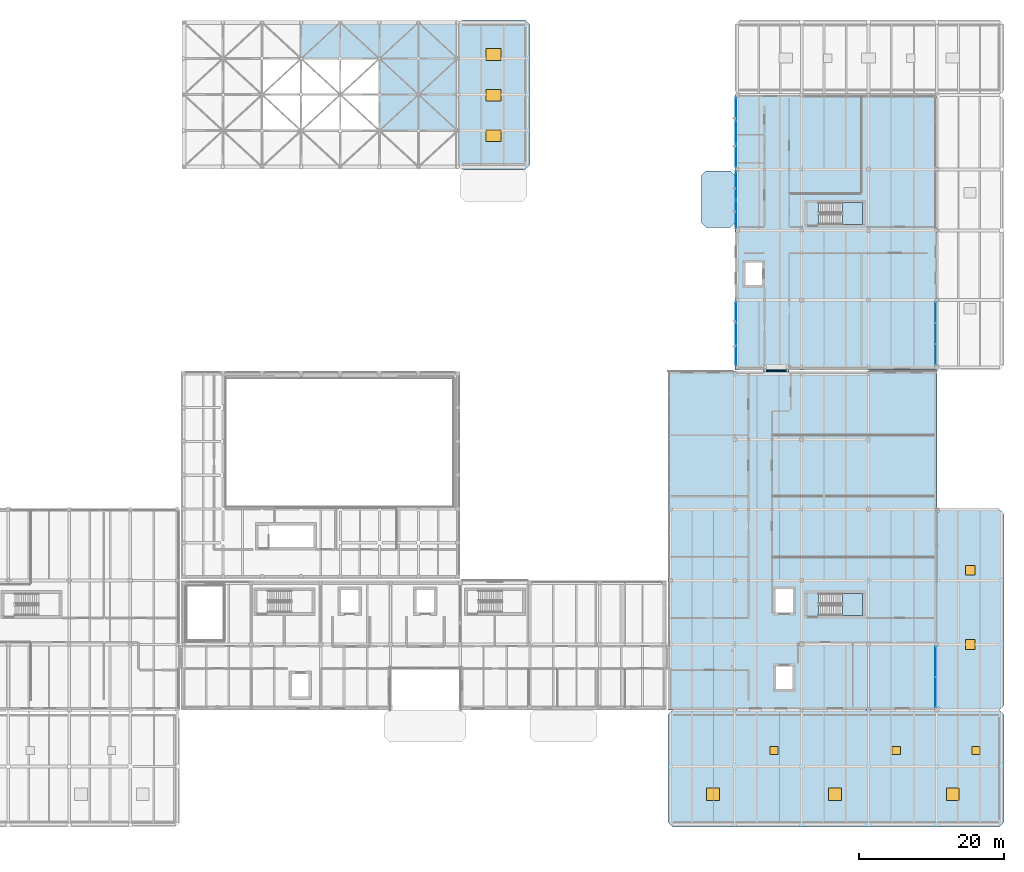
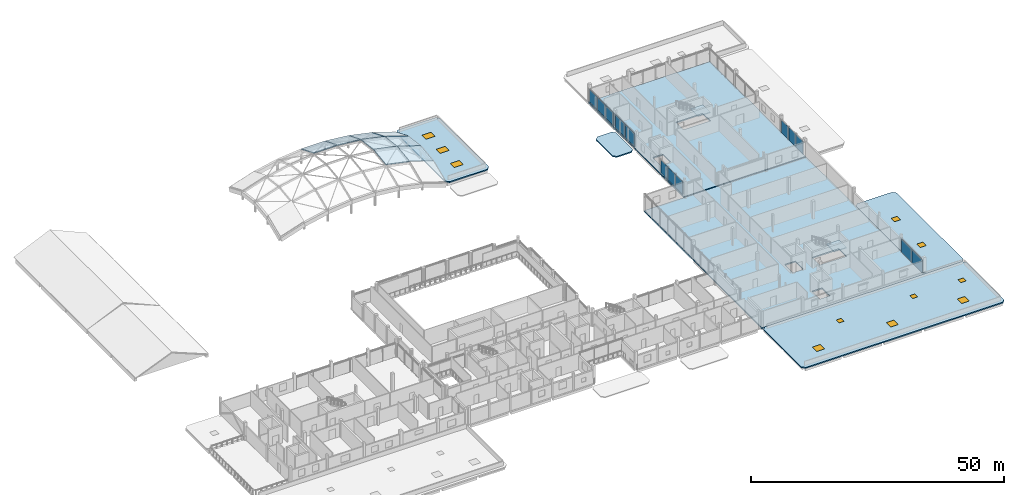
# One storey, part 34 of 66: 17 slabs, 13 plates, 11 windows, 11 openings, 8 elements without a shape of their own.
"""IFC4 building model written with IfcOpenShell, lengths in metres."""

import ifcopenshell
import ifcopenshell.guid

model = None  # the IFC model being written
_history = None  # IfcOwnerHistory: only IFC2X3 demands one
_inside = {}  # id of a spatial element -> (the spatial element, [elements in it])
_under = {}  # id of a project, library or spatial element -> (it, [spatial elements below it])
_declared = {}  # id of a project -> (the project, [libraries it declares])
_typed = {}  # id of a type object -> (the type object, [elements of that type])
_made_of = {}  # id of a material, layer set ... -> (it, [elements and type objects made of it])


def new_model(schema):
    """Start an empty IFC model of exactly this schema.

    Asked for "IFC4X3", IfcOpenShell would pick the latest addendum, in which some entities
    have other attributes; the version numbers below select the first issue.
    IFC2X3 requires an IfcOwnerHistory on every rooted entity: one is made here for all.
    """
    global model, _history
    if schema == "IFC4X3":
        model = ifcopenshell.file(schema_version=(4, 3, 0, 0))
    else:
        model = ifcopenshell.file(schema=schema)
    _inside.clear()
    _under.clear()
    _declared.clear()
    _typed.clear()
    _made_of.clear()
    _history = None
    if model.schema == "IFC2X3":
        org = make("IfcOrganization", Name="unknown")
        user = make(
            "IfcPersonAndOrganization",
            ThePerson=make("IfcPerson", FamilyName="unknown"),
            TheOrganization=org,
        )
        app = make(
            "IfcApplication",
            ApplicationDeveloper=org,
            Version="unknown",
            ApplicationFullName="unknown",
            ApplicationIdentifier="unknown",
        )
        _history = make(
            "IfcOwnerHistory",
            OwningUser=user,
            OwningApplication=app,
            ChangeAction="ADDED",
            CreationDate=0,
        )
    return model


def make(cls, **values):
    """One entity of the class cls with the attributes given. An attribute that is None is left unset."""
    return model.create_entity(
        cls, **{name: value for name, value in values.items() if value is not None}
    )


def rooted(cls, **values):
    """An entity with a GlobalId (a new one), such as an element, a storey or a relation."""
    return make(cls, GlobalId=ifcopenshell.guid.new(), OwnerHistory=_history, **values)


def si_unit(unit_type, name, prefix=None):
    """IfcSIUnit, for example si_unit("LENGTHUNIT", "METRE", prefix="MILLI")."""
    return make("IfcSIUnit", UnitType=unit_type, Prefix=prefix, Name=name)


def assignment(units):
    """IfcUnitAssignment: the units of a project."""
    return None if units is None else make("IfcUnitAssignment", Units=units)


def point(xyz):
    """IfcCartesianPoint."""
    return None if xyz is None else make("IfcCartesianPoint", Coordinates=xyz)


def direction(xyz):
    """IfcDirection."""
    return None if xyz is None else make("IfcDirection", DirectionRatios=xyz)


def frame(location, z_axis=None, x_axis=None):
    """IfcAxis2Placement3D, a coordinate frame: its origin and axes. An axis left out is left unset."""
    return make(
        "IfcAxis2Placement3D",
        Location=point(location),
        Axis=direction(z_axis),
        RefDirection=direction(x_axis),
    )


def frame_2d(location, x_axis=None):
    """IfcAxis2Placement2D, a coordinate frame in the plane: its origin and x axis."""
    return make(
        "IfcAxis2Placement2D", Location=point(location), RefDirection=direction(x_axis)
    )


def origin():
    """The frame at (0, 0, 0) with its axes left unset."""
    return frame((0.0, 0.0, 0.0))


def origin_2d():
    """The frame at (0, 0) in the plane with its x axis left unset."""
    return frame_2d((0.0, 0.0))


def place(relative_to, where):
    """IfcLocalPlacement: puts the frame where relative to a parent placement (None: the world)."""
    return make(
        "IfcLocalPlacement", PlacementRelTo=relative_to, RelativePlacement=where
    )


def context(
    kind, dimensions, precision=None, world=None, true_north=None, identifier=None
):
    """IfcGeometricRepresentationContext, for example the 3D "Model" context."""
    return make(
        "IfcGeometricRepresentationContext",
        ContextIdentifier=identifier,
        ContextType=kind,
        CoordinateSpaceDimension=dimensions,
        Precision=precision,
        WorldCoordinateSystem=world,
        TrueNorth=true_north,
    )


def subcontext(parent, identifier, kind, view, scale=None):
    """IfcGeometricRepresentationSubContext, for example "Body" below "Model"."""
    return make(
        "IfcGeometricRepresentationSubContext",
        ContextIdentifier=identifier,
        ContextType=kind,
        ParentContext=parent,
        TargetScale=scale,
        TargetView=view,
    )


def project(units=None, contexts=None):
    """IfcProject with its units and contexts."""
    return rooted(
        "IfcProject",
        Name="project",
        RepresentationContexts=contexts,
        UnitsInContext=assignment(units),
    )


def spatial(cls, under=None, at=None, **own):
    """A site, building, storey or space (cls), placed at a placement, below another one or the project."""
    s = rooted(cls, ObjectPlacement=at, **own)
    if under is not None:
        _under.setdefault(under.id(), (under, []))[1].append(s)
    return s


def polyline(points):
    """IfcPolyline through the points."""
    return make("IfcPolyline", Points=[point(p) for p in points])


def profile(cls, at=None, kind="AREA", **sizes):
    """A parametric profile (cls). Its sizes go by their IFC names, for example OverallWidth=200.0."""
    return make(cls, ProfileType=kind, Position=at, **sizes)


def rectangle(**sizes):
    """IfcRectangleProfileDef."""
    return profile("IfcRectangleProfileDef", **sizes)


def outline(outer, holes=None, kind="AREA"):
    """IfcArbitraryClosedProfileDef: a profile drawn as a closed curve; with holes, ...WithVoids."""
    if holes is None:
        return make("IfcArbitraryClosedProfileDef", ProfileType=kind, OuterCurve=outer)
    return make(
        "IfcArbitraryProfileDefWithVoids",
        ProfileType=kind,
        OuterCurve=outer,
        InnerCurves=holes,
    )


def extrude(swept, where, along, depth):
    """IfcExtrudedAreaSolid: the profile swept, set in the frame where, extruded along a direction by depth."""
    return make(
        "IfcExtrudedAreaSolid",
        SweptArea=swept,
        Position=where,
        ExtrudedDirection=direction(along),
        Depth=depth,
    )


def shape(context_of_items, identifier, shape_type, items):
    """IfcShapeRepresentation: the items that make up one representation, for example the "Body"."""
    return make(
        "IfcShapeRepresentation",
        ContextOfItems=context_of_items,
        RepresentationIdentifier=identifier,
        RepresentationType=shape_type,
        Items=items,
    )


def material(Name=None, Category=None):
    """IfcMaterial."""
    return make("IfcMaterial", Name=Name, Category=Category)


def layer(
    of_material, thickness, ventilated=None, Name=None, Category=None, Priority=None
):
    """IfcMaterialLayer: one layer of a wall or slab, of a material (None: an air gap)."""
    return make(
        "IfcMaterialLayer",
        Material=of_material,
        LayerThickness=thickness,
        IsVentilated=ventilated,
        Name=Name,
        Category=Category,
        Priority=Priority,
    )


def layer_set(layers, Name=None):
    """IfcMaterialLayerSet."""
    return make("IfcMaterialLayerSet", MaterialLayers=layers, LayerSetName=Name)


def made_of(thing, what):
    """Note that an element or type object is made of a material, layer set ...; save() writes the relation."""
    if what is not None:
        _made_of.setdefault(what.id(), (what, []))[1].append(thing)
    return thing


def type_object(cls, material=None, **own):
    """A type object (cls), such as IfcWallType, which elements share."""
    return made_of(rooted(cls, **own), material)


def element(
    cls,
    number,
    at=None,
    inside=None,
    cuts=None,
    type_object=None,
    material=None,
    context=None,
    identifier="Body",
    shape_type=None,
    held_by="IfcProductDefinitionShape",
    body=None,
    shapes=None,
    **own,
):
    """One element of the class cls, such as IfcWall. Its Tag is "e" and its number.

    at: its placement. inside: the storey or other place that contains it. cuts: it is an
    opening in that element (IfcRelVoidsElement). A single representation is given by context,
    identifier, shape_type and body (its items); several are given by shapes. held_by: the class
    of the entity that holds the representations. save() writes the other relations.
    """
    e = rooted(cls, Tag="e%d" % number, ObjectPlacement=at, **own)
    if body is not None:
        shapes = [shape(context, identifier, shape_type, body)]
    if shapes is not None:
        e.Representation = make(held_by, Representations=shapes)
    if inside is not None:
        _inside.setdefault(inside.id(), (inside, []))[1].append(e)
    if cuts is not None:
        rooted(
            "IfcRelVoidsElement", RelatingBuildingElement=cuts, RelatedOpeningElement=e
        )
    if type_object is not None:
        _typed.setdefault(type_object.id(), (type_object, []))[1].append(e)
    return made_of(e, material)


def fill(opening, filler):
    """IfcRelFillsElement: the door or window that sits in an opening."""
    return rooted(
        "IfcRelFillsElement",
        RelatingOpeningElement=opening,
        RelatedBuildingElement=filler,
    )


def aggregate(whole, parts):
    """IfcRelAggregates: a whole, such as a stair, and the parts it consists of."""
    return rooted("IfcRelAggregates", RelatingObject=whole, RelatedObjects=parts)


def save(model, path):
    """Write the relations noted so far, then the file.

    IfcRelAggregates (storeys below a building ...), IfcRelContainedInSpatialStructure (elements
    in a storey), IfcRelDefinesByType, IfcRelAssociatesMaterial and IfcRelDeclares: one each for
    every whole, place, type object, material and project.
    """
    for whole, parts in _under.values():
        aggregate(whole, parts)
    for where, things in _inside.values():
        rooted(
            "IfcRelContainedInSpatialStructure",
            RelatedElements=things,
            RelatingStructure=where,
        )
    for kind, things in _typed.values():
        rooted("IfcRelDefinesByType", RelatedObjects=things, RelatingType=kind)
    for what, things in _made_of.values():
        rooted("IfcRelAssociatesMaterial", RelatedObjects=things, RelatingMaterial=what)
    for by, libraries in _declared.values():
        rooted("IfcRelDeclares", RelatingContext=by, RelatedDefinitions=libraries)
    model.write(path)


model = new_model("IFC4")

# Units and contexts
model_context = context("Model", 3, precision=1e-05, world=origin(), true_north=direction((0.0, 1.0)))
body_context = subcontext(model_context, "Body", "Model", "MODEL_VIEW")
ifc_project = project(units=[si_unit("LENGTHUNIT", "METRE"), si_unit("AREAUNIT", "SQUARE_METRE"), si_unit("VOLUMEUNIT", "CUBIC_METRE"), si_unit("PLANEANGLEUNIT", "RADIAN"), si_unit("MASSUNIT", "GRAM", prefix="KILO")], contexts=[model_context])

# Site, building, storey
site_placement = place(None, origin())
site = spatial("IfcSite", under=ifc_project, at=site_placement, CompositionType="ELEMENT")
building_placement = place(site_placement, origin())
building = spatial("IfcBuilding", under=site, at=building_placement, Name="Birchvale Park Specialist Clinic", CompositionType="ELEMENT")
storey_placement = place(building_placement, frame((0.0, 0.0, 5.39990234375)))
storey = spatial("IfcBuildingStorey", under=building, at=storey_placement, Name="L01", CompositionType="ELEMENT", Elevation=5.39990234375)

# Curtain wall, plates
ifc_material_1 = material(Name="Thermally broken anodised aluminium", Category="aluminium")
ifc_layer_1 = layer(ifc_material_1, 0.195068359375)
ifc_layer_set_1 = layer_set([ifc_layer_1], Name="Thermally broken anodised aluminium")
curtain_wall_type_1 = type_object("IfcCurtainWallType", Name="CW-U2", PredefinedType="USERDEFINED", material=ifc_layer_set_1)
curtain_wall_1_placement = place(storey_placement, origin())
curtain_wall_1 = element("IfcCurtainWall", 1, at=curtain_wall_1_placement, inside=storey, type_object=curtain_wall_type_1, Name="V5 L01 glazed curtain wall 91", ObjectType="UNITISED", PredefinedType="USERDEFINED")
ifc_material_2 = material(Name="Solar-control low-E double glazing", Category="glass")
ifc_layer_2 = layer(ifc_material_2, 0.031982421875)
ifc_layer_set_2 = layer_set([ifc_layer_2], Name="Solar-control low-E double glazing")
plate_type_1 = type_object("IfcPlateType", Name="CWP2", PredefinedType="CURTAIN_PANEL", material=ifc_layer_set_2)
plate_1_placement = place(storey_placement, frame((155.625, 19.228759765625, 0.06494140625), z_axis=(0.0, 0.0, 1.0), x_axis=(0.0, 1.0, 0.0)))
plate_1 = element("IfcPlate", 2, at=plate_1_placement, type_object=plate_type_1, Name="CW panel 1.1", PredefinedType="CURTAIN_PANEL", context=body_context, shape_type="SweptSolid", body=[
    extrude(rectangle(XDim=4.12744140625, YDim=0.031982421875, at=origin_2d()), origin(), (0.0, 0.0, 1.0), 3.215087890625),
])
plate_2_placement = place(storey_placement, frame((155.625, 23.421142578125, 0.06494140625), z_axis=(0.0, 0.0, 1.0), x_axis=(0.0, 1.0, 0.0)))
plate_2 = element("IfcPlate", 3, at=plate_2_placement, type_object=plate_type_1, Name="CW panel 2.1", PredefinedType="CURTAIN_PANEL", context=body_context, shape_type="SweptSolid", body=[
    extrude(rectangle(XDim=4.12744140625, YDim=0.031982421875, at=origin_2d()), origin(), (0.0, 0.0, 1.0), 3.215087890625),
])
aggregate(curtain_wall_1, [plate_1, plate_2])

ifc_layer_3 = layer(ifc_material_1, 0.2099609375)
ifc_layer_set_3 = layer_set([ifc_layer_3], Name="Thermally broken anodised aluminium")
curtain_wall_type_2 = type_object("IfcCurtainWallType", Name="CW-U3", PredefinedType="USERDEFINED", material=ifc_layer_set_3)
curtain_wall_2_placement = place(storey_placement, origin())
curtain_wall_2 = element("IfcCurtainWall", 4, at=curtain_wall_2_placement, inside=storey, type_object=curtain_wall_type_2, Name="V6 L01 glazed curtain wall 95", ObjectType="UNITISED", PredefinedType="USERDEFINED")
ifc_layer_4 = layer(ifc_material_2, 0.035888671875)
ifc_layer_set_4 = layer_set([ifc_layer_4], Name="Solar-control low-E double glazing")
plate_type_2 = type_object("IfcPlateType", Name="CWP3", PredefinedType="CURTAIN_PANEL", material=ifc_layer_set_4)
plate_3_placement = place(storey_placement, frame((155.655029296875, 65.709228515625, 0.070068359375), z_axis=(0.0, 0.0, 1.0), x_axis=(0.0, 1.0, 0.0)))
plate_3 = element("IfcPlate", 5, at=plate_3_placement, type_object=plate_type_2, Name="CW panel 1.1", PredefinedType="CURTAIN_PANEL", context=body_context, shape_type="SweptSolid", body=[
    extrude(rectangle(XDim=2.79833984375, YDim=0.035888671875, at=origin_2d()), origin(), (0.0, 0.0, 1.0), 3.10498046875),
])
plate_4_placement = place(storey_placement, frame((155.655029296875, 68.594970703125, 0.070068359375), z_axis=(0.0, 0.0, 1.0), x_axis=(0.0, 1.0, 0.0)))
plate_4 = element("IfcPlate", 6, at=plate_4_placement, type_object=plate_type_2, Name="CW panel 2.1", PredefinedType="CURTAIN_PANEL", context=body_context, shape_type="SweptSolid", body=[
    extrude(rectangle(XDim=2.833251953125, YDim=0.035888671875, at=origin_2d()), origin(), (0.0, 0.0, 1.0), 3.10498046875),
])
plate_5_placement = place(storey_placement, frame((155.655029296875, 71.480712890625, 0.070068359375), z_axis=(0.0, 0.0, 1.0), x_axis=(0.0, 1.0, 0.0)))
plate_5 = element("IfcPlate", 7, at=plate_5_placement, type_object=plate_type_2, Name="CW panel 3.1", PredefinedType="CURTAIN_PANEL", context=body_context, shape_type="SweptSolid", body=[
    extrude(rectangle(XDim=2.79833984375, YDim=0.035888671875, at=origin_2d()), origin(), (0.0, 0.0, 1.0), 3.10498046875),
])
aggregate(curtain_wall_2, [plate_3, plate_4, plate_5])

curtain_wall_3_placement = place(storey_placement, origin())
curtain_wall_3 = element("IfcCurtainWall", 8, at=curtain_wall_3_placement, inside=storey, type_object=curtain_wall_type_2, Name="V6 L01 glazed curtain wall 100", ObjectType="UNITISED", PredefinedType="USERDEFINED")
plate_6_placement = place(storey_placement, frame((128.14501953125, 99.4892578125, 0.0703125), z_axis=(0.0, 0.0, 1.0), x_axis=(0.0, -1.0, 0.0)))
plate_6 = element("IfcPlate", 9, at=plate_6_placement, type_object=plate_type_2, Name="CW panel 1.1", PredefinedType="CURTAIN_PANEL", context=body_context, shape_type="SweptSolid", body=[
    extrude(rectangle(XDim=3.1015625, YDim=0.035888671875, at=origin_2d()), origin(), (0.0, 0.0, 1.0), 3.094970703125),
])
plate_7_placement = place(storey_placement, frame((128.14501953125, 96.300048828125, 0.0703125), z_axis=(0.0, 0.0, 1.0), x_axis=(0.0, -1.0, 0.0)))
plate_7 = element("IfcPlate", 10, at=plate_7_placement, type_object=plate_type_2, Name="CW panel 2.1", PredefinedType="CURTAIN_PANEL", context=body_context, shape_type="SweptSolid", body=[
    extrude(rectangle(XDim=3.13671875, YDim=0.035888671875, at=origin_2d()), origin(), (0.0, 0.0, 1.0), 3.094970703125),
])
plate_8_placement = place(storey_placement, frame((128.14501953125, 93.11083984375, 0.0703125), z_axis=(0.0, 0.0, 1.0), x_axis=(0.0, -1.0, 0.0)))
plate_8 = element("IfcPlate", 11, at=plate_8_placement, type_object=plate_type_2, Name="CW panel 3.1", PredefinedType="CURTAIN_PANEL", context=body_context, shape_type="SweptSolid", body=[
    extrude(rectangle(XDim=3.1015625, YDim=0.035888671875, at=origin_2d()), origin(), (0.0, 0.0, 1.0), 3.094970703125),
])
aggregate(curtain_wall_3, [plate_6, plate_7, plate_8])

curtain_wall_4_placement = place(storey_placement, origin())
curtain_wall_4 = element("IfcCurtainWall", 12, at=curtain_wall_4_placement, inside=storey, type_object=curtain_wall_type_2, Name="V6 L01 glazed curtain wall 101", ObjectType="UNITISED", PredefinedType="USERDEFINED")
plate_9_placement = place(storey_placement, frame((128.14501953125, 88.93115234375, 0.070068359375), z_axis=(0.0, 0.0, 1.0), x_axis=(0.0, -1.0, 0.0)))
plate_9 = element("IfcPlate", 13, at=plate_9_placement, type_object=plate_type_2, Name="CW panel 1.1", PredefinedType="CURTAIN_PANEL", context=body_context, shape_type="SweptSolid", body=[
    extrude(rectangle(XDim=3.8173828125, YDim=0.035888671875, at=origin_2d()), origin(), (0.0, 0.0, 1.0), 3.205078125),
])
plate_10_placement = place(storey_placement, frame((128.14501953125, 85.043701171875, 0.070068359375), z_axis=(0.0, 0.0, 1.0), x_axis=(0.0, -1.0, 0.0)))
plate_10 = element("IfcPlate", 14, at=plate_10_placement, type_object=plate_type_2, Name="CW panel 2.1", PredefinedType="CURTAIN_PANEL", context=body_context, shape_type="SweptSolid", body=[
    extrude(rectangle(XDim=3.8173828125, YDim=0.035888671875, at=origin_2d()), origin(), (0.0, 0.0, 1.0), 3.205078125),
])
aggregate(curtain_wall_4, [plate_9, plate_10])

curtain_wall_5_placement = place(storey_placement, origin())
curtain_wall_5 = element("IfcCurtainWall", 15, at=curtain_wall_5_placement, inside=storey, type_object=curtain_wall_type_2, Name="V6 L01 glazed curtain wall 102", ObjectType="UNITISED", PredefinedType="USERDEFINED")
plate_11_placement = place(storey_placement, frame((128.14501953125, 71.464111328125, 0.070068359375), z_axis=(0.0, 0.0, 1.0), x_axis=(0.0, -1.0, 0.0)))
plate_11 = element("IfcPlate", 16, at=plate_11_placement, type_object=plate_type_2, Name="CW panel 1.1", PredefinedType="CURTAIN_PANEL", context=body_context, shape_type="SweptSolid", body=[
    extrude(rectangle(XDim=2.811767578125, YDim=0.035888671875, at=origin_2d()), origin(), (0.0, 0.0, 1.0), 3.10498046875),
])
plate_12_placement = place(storey_placement, frame((128.14501953125, 68.56494140625, 0.070068359375), z_axis=(0.0, 0.0, 1.0), x_axis=(0.0, -1.0, 0.0)))
plate_12 = element("IfcPlate", 17, at=plate_12_placement, type_object=plate_type_2, Name="CW panel 2.1", PredefinedType="CURTAIN_PANEL", context=body_context, shape_type="SweptSolid", body=[
    extrude(rectangle(XDim=2.8466796875, YDim=0.035888671875, at=origin_2d()), origin(), (0.0, 0.0, 1.0), 3.10498046875),
])
plate_13_placement = place(storey_placement, frame((128.14501953125, 65.665771484375, 0.070068359375), z_axis=(0.0, 0.0, 1.0), x_axis=(0.0, -1.0, 0.0)))
plate_13 = element("IfcPlate", 18, at=plate_13_placement, type_object=plate_type_2, Name="CW panel 3.1", PredefinedType="CURTAIN_PANEL", context=body_context, shape_type="SweptSolid", body=[
    extrude(rectangle(XDim=2.811767578125, YDim=0.035888671875, at=origin_2d()), origin(), (0.0, 0.0, 1.0), 3.10498046875),
])
aggregate(curtain_wall_5, [plate_11, plate_12, plate_13])

# Slabs
ifc_material_3 = material(Name="Concrete C35/45", Category="concrete")
ifc_layer_5 = layer(ifc_material_3, 0.300048828125)
ifc_layer_set_5 = layer_set([ifc_layer_5], Name="Concrete C35/45")
slab_type_1 = type_object("IfcSlabType", Name="SLB-FS3", PredefinedType="FLOOR", material=ifc_layer_set_5)
slab_1_placement = place(storey_placement, frame((0.0, 0.0, -0.2998046875)))
element("IfcSlab", 19, at=slab_1_placement, inside=storey, type_object=slab_type_1, Name="V5 L01 structural slab 1", PredefinedType="FLOOR", context=body_context, shape_type="SweptSolid", body=[
    extrude(outline(polyline([(118.800048828125, 16.800048828125), (155.800048828125, 16.800048828125), (155.800048828125, 63.39990234375), (118.800048828125, 63.39990234375), (118.800048828125, 16.800048828125)]), holes=[polyline([(139.5048828125, 29.800048828125), (145.60009765625, 29.800048828125), (145.60009765625, 32.800048828125), (139.5048828125, 32.800048828125), (139.5048828125, 29.800048828125)]), polyline([(133.64990234375, 19.64990234375), (135.949951171875, 19.64990234375), (135.949951171875, 22.75), (133.64990234375, 22.75), (133.64990234375, 19.64990234375)]), polyline([(133.60009765625, 30.199951171875), (136.0, 30.199951171875), (136.0, 33.39990234375), (133.60009765625, 33.39990234375), (133.60009765625, 30.199951171875)])]), origin(), (0.0, 0.0, 1.0), 0.2998046875),
])
slab_2_placement = place(storey_placement, frame((0.0, 0.0, -0.2998046875)))
element("IfcSlab", 20, at=slab_2_placement, inside=storey, type_object=slab_type_1, Name="V6 L01 structural slab 1", PredefinedType="FLOOR", context=body_context, shape_type="SweptSolid", body=[
    extrude(outline(polyline([(128.0, 63.60009765625), (155.800048828125, 63.60009765625), (155.800048828125, 101.39990234375), (128.0, 101.39990234375), (128.0, 63.60009765625)]), holes=[polyline([(139.5048828125, 83.60009765625), (145.60009765625, 83.60009765625), (145.60009765625, 86.60009765625), (139.5048828125, 86.60009765625), (139.5048828125, 83.60009765625)]), polyline([(129.449951171875, 75.25), (131.75, 75.25), (131.75, 78.35009765625), (129.449951171875, 78.35009765625), (129.449951171875, 75.25)])]), origin(), (0.0, 0.0, 1.0), 0.2998046875),
])
ifc_layer_6 = layer(ifc_material_3, 0.364990234375)
ifc_layer_set_6 = layer_set([ifc_layer_6], Name="Concrete C35/45")
slab_type_2 = type_object("IfcSlabType", Name="SLB-FS6", PredefinedType="FLOOR", material=ifc_layer_set_6)
slab_3_placement = place(storey_placement, frame((0.0, 0.0, -0.364990234375)))
element("IfcSlab", 21, at=slab_3_placement, inside=storey, type_object=slab_type_2, Name="L01 seismic link bridge deck BRG-4", PredefinedType="FLOOR", context=body_context, shape_type="SweptSolid", body=[
    extrude(outline(polyline([(132.0, 63.39990234375), (135.39990234375, 63.39990234375), (135.39990234375, 63.60009765625), (132.0, 63.60009765625), (132.0, 63.39990234375)])), origin(), (0.0, 0.0, 1.0), 0.364990234375),
])

# Stair, slab
stair_type = type_object("IfcStairType", Name="ST-H42", PredefinedType="HALF_TURN_STAIR", material=ifc_material_3)
stair_1_placement = place(storey_placement, origin())
stair_1 = element("IfcStair", 22, at=stair_1_placement, inside=storey, type_object=stair_type, Name="L01 Protected exit stair ST3", PredefinedType="HALF_TURN_STAIR")
ifc_layer_7 = layer(ifc_material_3, 0.199951171875)
ifc_layer_set_7 = layer_set([ifc_layer_7], Name="Concrete C35/45")
slab_type_3 = type_object("IfcSlabType", Name="SLB-LND1", PredefinedType="LANDING", material=ifc_layer_set_7)
slab_4_placement = place(storey_placement, frame((0.0, 0.0, 1.900146484375)))
slab_4 = element("IfcSlab", 23, at=slab_4_placement, type_object=slab_type_3, Name="ST3 landing 1", PredefinedType="LANDING", context=body_context, shape_type="SweptSolid", body=[
    extrude(outline(polyline([(142.800048828125, 83.60009765625), (145.60009765625, 83.60009765625), (145.60009765625, 86.60009765625), (142.800048828125, 86.60009765625), (142.800048828125, 83.60009765625)])), origin(), (0.0, 0.0, 1.0), 0.199951171875),
])
aggregate(stair_1, [slab_4])

stair_2_placement = place(storey_placement, origin())
stair_2 = element("IfcStair", 24, at=stair_2_placement, inside=storey, type_object=stair_type, Name="L01 Protected exit stair ST6", PredefinedType="HALF_TURN_STAIR")
slab_5_placement = place(storey_placement, frame((0.0, 0.0, 1.900146484375)))
slab_5 = element("IfcSlab", 25, at=slab_5_placement, type_object=slab_type_3, Name="ST6 landing 1", PredefinedType="LANDING", context=body_context, shape_type="SweptSolid", body=[
    extrude(outline(polyline([(142.800048828125, 29.800048828125), (145.60009765625, 29.800048828125), (145.60009765625, 32.800048828125), (142.800048828125, 32.800048828125), (142.800048828125, 29.800048828125)])), origin(), (0.0, 0.0, 1.0), 0.199951171875),
])
aggregate(stair_2, [slab_5])

# Roof, slabs
ifc_material_4 = material(Name="Glulam GL28h", Category="wood")
roof_type = type_object("IfcRoofType", Name="ROOF-SHL1", PredefinedType="BARREL_ROOF", material=ifc_material_4)
roof_placement = place(storey_placement, origin())
roof = element("IfcRoof", 26, at=roof_placement, inside=storey, type_object=roof_type, Name="V3 translational glulam-and-steel gridshell roof (L01)", PredefinedType="BARREL_ROOF")
ifc_layer_8 = layer(ifc_material_3, 0.179931640625)
ifc_layer_set_8 = layer_set([ifc_layer_8], Name="Concrete C35/45")
slab_type_4 = type_object("IfcSlabType", Name="SLB-RS3", PredefinedType="ROOF", material=ifc_layer_set_8)
slab_6_placement = place(storey_placement, frame((68.30712890625, 106.4375, 5.53857421875), z_axis=(0.0, 0.385189146475, 0.922837646305), x_axis=(1.0, 0.0, 0.0)))
slab_6 = element("IfcSlab", 27, at=slab_6_placement, type_object=slab_type_4, Name="V3 gridshell planar roof cassette 16", PredefinedType="ROOF", context=body_context, shape_type="SweptSolid", body=[
    extrude(outline(polyline([(0.0, 0.0), (5.3857421875, 0.0), (5.3857421875, 5.377329765012336), (0.0, 5.377329765012336), (0.0, 0.0)])), origin(), (0.0, 0.0, -1.0), 0.179931640625),
])
slab_7_placement = place(storey_placement, frame((73.69287109375, 106.4375, 5.53857421875), z_axis=(0.09579357993, 0.383436990183, 0.918585687132), x_axis=(0.994606741704, -7.940182e-06, -0.103718027817)))
slab_7 = element("IfcSlab", 28, at=slab_7_placement, type_object=slab_type_4, Name="V3 gridshell planar roof cassette 20", PredefinedType="ROOF", context=body_context, shape_type="SweptSolid", body=[
    extrude(outline(polyline([(0.0, 0.0), (5.414935592276745, -2.7755575615628914e-17), (5.6297515282865485, 5.373131389978051), (0.21479061422566875, 5.373038282122563), (0.0, 0.0)])), origin(), (0.0, 0.0, -1.0), 0.179931640625),
])
slab_8_placement = place(storey_placement, frame((79.07861328125, 96.512451171875, 4.97705078125), z_axis=(0.205783910179, -0.125498293751, 0.970516955327), x_axis=(0.978251099222, -2.70056e-06, -0.207424171361)))
slab_8 = element("IfcSlab", 29, at=slab_8_placement, type_object=slab_type_4, Name="V3 gridshell planar roof cassette 22", PredefinedType="ROOF", context=body_context, shape_type="SweptSolid", body=[
    extrude(outline(polyline([(0.0, 0.0), (5.505505254504689, 0.0), (5.37235753946829, 5.002209282651488), (-0.13309707436956325, 5.002179309924906), (0.0, 0.0)])), origin(), (0.0, 0.0, -1.0), 0.179931640625),
])
slab_9_placement = place(storey_placement, frame((79.07861328125, 101.47509765625, 5.61865234375), z_axis=(0.205783750721, 0.125504370774, 0.970516203294), x_axis=(0.978251240948, -2.700713e-06, -0.207423502952)))
slab_9 = element("IfcSlab", 30, at=slab_9_placement, type_object=slab_type_4, Name="V3 gridshell planar roof cassette 23", PredefinedType="ROOF", context=body_context, shape_type="SweptSolid", body=[
    extrude(outline(polyline([(0.0, 0.0), (5.505454613919443, -2.7755575615628914e-17), (5.63857509598917, 5.00196779788651), (0.13306984156607596, 5.0019378234328435), (0.0, 0.0)])), origin(), (0.0, 0.0, -1.0), 0.179931640625),
])
slab_10_placement = place(storey_placement, frame((79.07861328125, 106.4375, 4.97705078125), z_axis=(0.192030818496, 0.378039323836, 0.905654699309), x_axis=(0.978250527074, 7.591236e-06, -0.207426869575)))
slab_10 = element("IfcSlab", 31, at=slab_10_placement, type_object=slab_type_4, Name="V3 gridshell planar roof cassette 24", PredefinedType="ROOF", context=body_context, shape_type="SweptSolid", body=[
    extrude(outline(polyline([(0.0, 0.0), (5.505505254669375, -5.551115123125783e-17), (5.935183931656826, 5.360135410976839), (0.429729318313031, 5.360225698015424), (0.0, 0.0)])), origin(), (0.0, 0.0, -1.0), 0.179931640625),
])
slab_11_placement = place(storey_placement, frame((84.46435546875, 96.512451171875, 3.8349609375), z_axis=(0.308865891906, -0.121972654901, 0.943252104304), x_axis=(0.950348008716, 2.478222e-06, -0.311189110226)))
slab_11 = element("IfcSlab", 32, at=slab_11_placement, type_object=slab_type_4, Name="V3 gridshell planar roof cassette 26", PredefinedType="ROOF", context=body_context, shape_type="SweptSolid", body=[
    extrude(outline(polyline([(0.0, 0.0), (5.667088870956789, -2.7755575615628914e-17), (5.4674417501446735, 4.999965370657631), (-0.19972309471597952, 4.999993670763867), (0.0, 0.0)])), origin(), (0.0, 0.0, -1.0), 0.179931640625),
])
slab_12_placement = place(storey_placement, frame((84.46435546875, 101.47509765625, 4.476806640625), z_axis=(0.30886566583, 0.121978566437, 0.943251413888), x_axis=(0.950347819163, 2.478308e-06, -0.311189689106)))
slab_12 = element("IfcSlab", 33, at=slab_12_placement, type_object=slab_type_4, Name="V3 gridshell planar roof cassette 27", PredefinedType="ROOF", context=body_context, shape_type="SweptSolid", body=[
    extrude(outline(polyline([(0.0, 0.0), (5.667164844931317, 2.7755575615628914e-17), (5.866836934054909, 4.999722055257178), (0.19974806316878405, 4.9997503563556), (0.0, 0.0)])), origin(), (0.0, 0.0, -1.0), 0.179931640625),
])
slab_13_placement = place(storey_placement, frame((84.46435546875, 106.4375, 3.8349609375), z_axis=(0.289260564964, 0.368740970042, 0.883378980149), x_axis=(0.950348780084, -7.016467e-06, -0.311186754449)))
slab_13 = element("IfcSlab", 34, at=slab_13_placement, type_object=slab_type_4, Name="V3 gridshell planar roof cassette 28", PredefinedType="ROOF", context=body_context, shape_type="SweptSolid", body=[
    extrude(outline(polyline([(0.0, 0.0), (5.6670888711005745, 0.0), (6.311687746781894, 5.3386495587130405), (0.6445229023525972, 5.338564003400386), (0.0, 0.0)])), origin(), (0.0, 0.0, -1.0), 0.179931640625),
])
aggregate(roof, [slab_6, slab_7, slab_8, slab_9, slab_10, slab_11, slab_12, slab_13])

# Slab, openings, windows
ifc_layer_9 = layer(ifc_material_3, 0.27490234375)
ifc_layer_set_9 = layer_set([ifc_layer_9], Name="Concrete C35/45")
slab_type_5 = type_object("IfcSlabType", Name="SLB-RS4", PredefinedType="ROOF", material=ifc_layer_set_9)
slab_14_placement = place(storey_placement, frame((0.0, 0.0, -0.27490234375)))
slab_14 = element("IfcSlab", 35, at=slab_14_placement, inside=storey, type_object=slab_type_5, Name="V3 L01 flat roof slab SLB-V3-L01-PORCH", PredefinedType="ROOF", context=body_context, shape_type="SweptSolid", body=[
    extrude(outline(polyline([(90.5, 91.199951171875), (99.14990234375, 91.199951171875), (99.800048828125, 91.85009765625), (99.800048828125, 111.10009765625), (99.14990234375, 111.75), (90.5, 111.75), (89.85009765625, 111.10009765625), (89.85009765625, 91.85009765625), (90.5, 91.199951171875)])), origin(), (0.0, 0.0, 1.0), 0.27490234375),
])
opening_1_placement = place(slab_14_placement, frame((94.800048828125, 95.800048828125, 0.0)))
opening_1 = element("IfcOpeningElement", 36, at=opening_1_placement, cuts=slab_14, Name="Opening SK-06", PredefinedType="OPENING", context=body_context, shape_type="SweptSolid", body=[
    extrude(rectangle(XDim=2.10009765625, YDim=1.60009765625, at=origin_2d()), frame((0.0, 0.0, -0.010009765625)), (0.0, 0.0, 1.0), 0.294921875),
])
opening_2_placement = place(slab_14_placement, frame((94.800048828125, 101.39990234375, 0.0)))
opening_2 = element("IfcOpeningElement", 37, at=opening_2_placement, cuts=slab_14, Name="Opening SK-06", PredefinedType="OPENING", context=body_context, shape_type="SweptSolid", body=[
    extrude(rectangle(XDim=2.10009765625, YDim=1.60009765625, at=origin_2d()), frame((0.0, 0.0, -0.010009765625)), (0.0, 0.0, 1.0), 0.294921875),
])
opening_3_placement = place(slab_14_placement, frame((94.800048828125, 107.0, 0.0)))
opening_3 = element("IfcOpeningElement", 38, at=opening_3_placement, cuts=slab_14, Name="Opening SK-06", PredefinedType="OPENING", context=body_context, shape_type="SweptSolid", body=[
    extrude(rectangle(XDim=2.10009765625, YDim=1.60009765625, at=origin_2d()), frame((0.0, 0.0, -0.010009765625)), (0.0, 0.0, 1.0), 0.294921875),
])
window_type_1 = type_object("IfcWindowType", Name="WIN-SK-06", PartitioningType="SINGLE_PANEL", PredefinedType="SKYLIGHT", material=ifc_material_2)
window_1_placement = place(opening_1_placement, frame((0.0, 0.0, 0.224853515625)))
window_1 = element("IfcWindow", 39, at=window_1_placement, inside=storey, type_object=window_type_1, Name="L01 roof daylight skylight 1", OverallHeight=1.60009765625, OverallWidth=2.10009765625, PartitioningType="SINGLE_PANEL", PredefinedType="SKYLIGHT", context=body_context, shape_type="SweptSolid", body=[
    extrude(rectangle(XDim=2.10009765625, YDim=1.60009765625, at=origin_2d()), origin(), (0.0, 0.0, 1.0), 0.050048828125),
])
fill(opening_1, window_1)
window_2_placement = place(opening_2_placement, frame((0.0, 0.0, 0.224853515625)))
window_2 = element("IfcWindow", 40, at=window_2_placement, inside=storey, type_object=window_type_1, Name="L01 roof daylight skylight 2", OverallHeight=1.60009765625, OverallWidth=2.10009765625, PartitioningType="SINGLE_PANEL", PredefinedType="SKYLIGHT", context=body_context, shape_type="SweptSolid", body=[
    extrude(rectangle(XDim=2.10009765625, YDim=1.60009765625, at=origin_2d()), origin(), (0.0, 0.0, 1.0), 0.050048828125),
])
fill(opening_2, window_2)
window_3_placement = place(opening_3_placement, frame((0.0, 0.0, 0.224853515625)))
window_3 = element("IfcWindow", 41, at=window_3_placement, inside=storey, type_object=window_type_1, Name="L01 roof daylight skylight 3", OverallHeight=1.60009765625, OverallWidth=2.10009765625, PartitioningType="SINGLE_PANEL", PredefinedType="SKYLIGHT", context=body_context, shape_type="SweptSolid", body=[
    extrude(rectangle(XDim=2.10009765625, YDim=1.60009765625, at=origin_2d()), origin(), (0.0, 0.0, 1.0), 0.050048828125),
])
fill(opening_3, window_3)

slab_15_placement = place(storey_placement, frame((0.0, 0.0, -0.27490234375)))
slab_15 = element("IfcSlab", 42, at=slab_15_placement, inside=storey, type_object=slab_type_5, Name="V5 L01 flat roof slab SLB-V5-L01-SRF", PredefinedType="ROOF", context=body_context, shape_type="SweptSolid", body=[
    extrude(outline(polyline([(119.449951171875, 0.64990234375), (164.39990234375, 0.64990234375), (165.050048828125, 1.300048828125), (165.050048828125, 16.14990234375), (164.39990234375, 16.800048828125), (119.449951171875, 16.800048828125), (118.800048828125, 16.14990234375), (118.800048828125, 1.300048828125), (119.449951171875, 0.64990234375)])), origin(), (0.0, 0.0, 1.0), 0.27490234375),
])
opening_4_placement = place(slab_15_placement, frame((125.0, 5.199951171875, 0.0)))
opening_4 = element("IfcOpeningElement", 43, at=opening_4_placement, cuts=slab_15, Name="Opening SK-04", PredefinedType="OPENING", context=body_context, shape_type="SweptSolid", body=[
    extrude(rectangle(XDim=1.75, YDim=1.75, at=origin_2d()), frame((0.0, 0.0, -0.010009765625)), (0.0, 0.0, 1.0), 0.294921875),
])
opening_5_placement = place(slab_15_placement, frame((141.800048828125, 5.199951171875, 0.0)))
opening_5 = element("IfcOpeningElement", 44, at=opening_5_placement, cuts=slab_15, Name="Opening SK-04", PredefinedType="OPENING", context=body_context, shape_type="SweptSolid", body=[
    extrude(rectangle(XDim=1.75, YDim=1.75, at=origin_2d()), frame((0.0, 0.0, -0.010009765625)), (0.0, 0.0, 1.0), 0.294921875),
])
opening_6_placement = place(slab_15_placement, frame((158.0, 5.199951171875, 0.0)))
opening_6 = element("IfcOpeningElement", 45, at=opening_6_placement, cuts=slab_15, Name="Opening SK-04", PredefinedType="OPENING", context=body_context, shape_type="SweptSolid", body=[
    extrude(rectangle(XDim=1.75, YDim=1.75, at=origin_2d()), frame((0.0, 0.0, -0.010009765625)), (0.0, 0.0, 1.0), 0.294921875),
])
opening_7_placement = place(slab_15_placement, frame((133.39990234375, 11.199951171875, 0.0)))
opening_7 = element("IfcOpeningElement", 46, at=opening_7_placement, cuts=slab_15, Name="Opening SK-01", PredefinedType="OPENING", context=body_context, shape_type="SweptSolid", body=[
    extrude(rectangle(XDim=1.14990234375, YDim=1.14990234375, at=origin_2d()), frame((0.0, 0.0, -0.010009765625)), (0.0, 0.0, 1.0), 0.294921875),
])
opening_8_placement = place(slab_15_placement, frame((150.199951171875, 11.199951171875, 0.0)))
opening_8 = element("IfcOpeningElement", 47, at=opening_8_placement, cuts=slab_15, Name="Opening SK-01", PredefinedType="OPENING", context=body_context, shape_type="SweptSolid", body=[
    extrude(rectangle(XDim=1.14990234375, YDim=1.14990234375, at=origin_2d()), frame((0.0, 0.0, -0.010009765625)), (0.0, 0.0, 1.0), 0.294921875),
])
opening_9_placement = place(slab_15_placement, frame((161.199951171875, 11.199951171875, 0.0)))
opening_9 = element("IfcOpeningElement", 48, at=opening_9_placement, cuts=slab_15, Name="Opening SK-01", PredefinedType="OPENING", context=body_context, shape_type="SweptSolid", body=[
    extrude(rectangle(XDim=1.14990234375, YDim=1.14990234375, at=origin_2d()), frame((0.0, 0.0, -0.010009765625)), (0.0, 0.0, 1.0), 0.294921875),
])
window_type_2 = type_object("IfcWindowType", Name="WIN-SK-01", PartitioningType="SINGLE_PANEL", PredefinedType="SKYLIGHT", material=ifc_material_2)
window_4_placement = place(opening_7_placement, frame((0.0, 0.0, 0.224853515625)))
window_4 = element("IfcWindow", 49, at=window_4_placement, inside=storey, type_object=window_type_2, Name="L01 roof daylight skylight 32", OverallHeight=1.14990234375, OverallWidth=1.14990234375, PartitioningType="SINGLE_PANEL", PredefinedType="SKYLIGHT", context=body_context, shape_type="SweptSolid", body=[
    extrude(rectangle(XDim=1.14990234375, YDim=1.14990234375, at=origin_2d()), origin(), (0.0, 0.0, 1.0), 0.050048828125),
])
fill(opening_7, window_4)
window_5_placement = place(opening_8_placement, frame((0.0, 0.0, 0.224853515625)))
window_5 = element("IfcWindow", 50, at=window_5_placement, inside=storey, type_object=window_type_2, Name="L01 roof daylight skylight 33", OverallHeight=1.14990234375, OverallWidth=1.14990234375, PartitioningType="SINGLE_PANEL", PredefinedType="SKYLIGHT", context=body_context, shape_type="SweptSolid", body=[
    extrude(rectangle(XDim=1.14990234375, YDim=1.14990234375, at=origin_2d()), origin(), (0.0, 0.0, 1.0), 0.050048828125),
])
fill(opening_8, window_5)
window_6_placement = place(opening_9_placement, frame((0.0, 0.0, 0.224853515625)))
window_6 = element("IfcWindow", 51, at=window_6_placement, inside=storey, type_object=window_type_2, Name="L01 roof daylight skylight 34", OverallHeight=1.14990234375, OverallWidth=1.14990234375, PartitioningType="SINGLE_PANEL", PredefinedType="SKYLIGHT", context=body_context, shape_type="SweptSolid", body=[
    extrude(rectangle(XDim=1.14990234375, YDim=1.14990234375, at=origin_2d()), origin(), (0.0, 0.0, 1.0), 0.050048828125),
])
fill(opening_9, window_6)
window_type_3 = type_object("IfcWindowType", Name="WIN-SK-04", PartitioningType="SINGLE_PANEL", PredefinedType="SKYLIGHT", material=ifc_material_2)
window_7_placement = place(opening_4_placement, frame((0.0, 0.0, 0.224853515625)))
window_7 = element("IfcWindow", 52, at=window_7_placement, inside=storey, type_object=window_type_3, Name="L01 roof daylight skylight 13", OverallHeight=1.75, OverallWidth=1.75, PartitioningType="SINGLE_PANEL", PredefinedType="SKYLIGHT", context=body_context, shape_type="SweptSolid", body=[
    extrude(rectangle(XDim=1.75, YDim=1.75, at=origin_2d()), origin(), (0.0, 0.0, 1.0), 0.050048828125),
])
fill(opening_4, window_7)
window_8_placement = place(opening_5_placement, frame((0.0, 0.0, 0.224853515625)))
window_8 = element("IfcWindow", 53, at=window_8_placement, inside=storey, type_object=window_type_3, Name="L01 roof daylight skylight 14", OverallHeight=1.75, OverallWidth=1.75, PartitioningType="SINGLE_PANEL", PredefinedType="SKYLIGHT", context=body_context, shape_type="SweptSolid", body=[
    extrude(rectangle(XDim=1.75, YDim=1.75, at=origin_2d()), origin(), (0.0, 0.0, 1.0), 0.050048828125),
])
fill(opening_5, window_8)
window_9_placement = place(opening_6_placement, frame((0.0, 0.0, 0.224853515625)))
window_9 = element("IfcWindow", 54, at=window_9_placement, inside=storey, type_object=window_type_3, Name="L01 roof daylight skylight 15", OverallHeight=1.75, OverallWidth=1.75, PartitioningType="SINGLE_PANEL", PredefinedType="SKYLIGHT", context=body_context, shape_type="SweptSolid", body=[
    extrude(rectangle(XDim=1.75, YDim=1.75, at=origin_2d()), origin(), (0.0, 0.0, 1.0), 0.050048828125),
])
fill(opening_6, window_9)

slab_16_placement = place(storey_placement, frame((0.0, 0.0, -0.27490234375)))
slab_16 = element("IfcSlab", 55, at=slab_16_placement, inside=storey, type_object=slab_type_5, Name="V5 L01 flat roof slab SLB-V5-L01-ERF", PredefinedType="ROOF", context=body_context, shape_type="SweptSolid", body=[
    extrude(outline(polyline([(156.449951171875, 16.800048828125), (164.39990234375, 16.800048828125), (165.050048828125, 17.449951171875), (165.050048828125, 43.75), (164.39990234375, 44.39990234375), (156.449951171875, 44.39990234375), (155.800048828125, 43.75), (155.800048828125, 17.449951171875), (156.449951171875, 16.800048828125)])), origin(), (0.0, 0.0, 1.0), 0.27490234375),
])
opening_10_placement = place(slab_16_placement, frame((160.39990234375, 25.800048828125, 0.0)))
opening_10 = element("IfcOpeningElement", 56, at=opening_10_placement, cuts=slab_16, Name="Opening SK-02", PredefinedType="OPENING", context=body_context, shape_type="SweptSolid", body=[
    extrude(rectangle(XDim=1.35009765625, YDim=1.35009765625, at=origin_2d()), frame((0.0, 0.0, -0.010009765625)), (0.0, 0.0, 1.0), 0.294921875),
])
opening_11_placement = place(slab_16_placement, frame((160.39990234375, 36.0, 0.0)))
opening_11 = element("IfcOpeningElement", 57, at=opening_11_placement, cuts=slab_16, Name="Opening SK-02", PredefinedType="OPENING", context=body_context, shape_type="SweptSolid", body=[
    extrude(rectangle(XDim=1.35009765625, YDim=1.35009765625, at=origin_2d()), frame((0.0, 0.0, -0.010009765625)), (0.0, 0.0, 1.0), 0.294921875),
])
window_type_4 = type_object("IfcWindowType", Name="WIN-SK-02", PartitioningType="SINGLE_PANEL", PredefinedType="SKYLIGHT", material=ifc_material_2)
window_10_placement = place(opening_10_placement, frame((0.0, 0.0, 0.224853515625)))
window_10 = element("IfcWindow", 58, at=window_10_placement, inside=storey, type_object=window_type_4, Name="L01 roof daylight skylight 16", OverallHeight=1.35009765625, OverallWidth=1.35009765625, PartitioningType="SINGLE_PANEL", PredefinedType="SKYLIGHT", context=body_context, shape_type="SweptSolid", body=[
    extrude(rectangle(XDim=1.35009765625, YDim=1.35009765625, at=origin_2d()), origin(), (0.0, 0.0, 1.0), 0.050048828125),
])
fill(opening_10, window_10)
window_11_placement = place(opening_11_placement, frame((0.0, 0.0, 0.224853515625)))
window_11 = element("IfcWindow", 59, at=window_11_placement, inside=storey, type_object=window_type_4, Name="L01 roof daylight skylight 17", OverallHeight=1.35009765625, OverallWidth=1.35009765625, PartitioningType="SINGLE_PANEL", PredefinedType="SKYLIGHT", context=body_context, shape_type="SweptSolid", body=[
    extrude(rectangle(XDim=1.35009765625, YDim=1.35009765625, at=origin_2d()), origin(), (0.0, 0.0, 1.0), 0.050048828125),
])
fill(opening_11, window_11)

# Slab
ifc_layer_10 = layer(ifc_material_3, 0.25)
ifc_layer_set_10 = layer_set([ifc_layer_10], Name="Concrete C35/45")
slab_type_6 = type_object("IfcSlabType", Name="SLB-RS5", PredefinedType="ROOF", material=ifc_layer_set_10)
slab_17_placement = place(storey_placement, frame((0.0, 0.0, -1.0498046875)))
element("IfcSlab", 60, at=slab_17_placement, inside=storey, type_object=slab_type_6, Name="L01 entrance canopy roof slab 4", PredefinedType="ROOF", context=body_context, shape_type="SweptSolid", body=[
    extrude(outline(polyline([(124.050048828125, 83.199951171875), (127.35009765625, 83.199951171875), (128.0, 83.85009765625), (128.0, 90.35009765625), (127.35009765625, 91.0), (124.050048828125, 91.0), (123.39990234375, 90.35009765625), (123.39990234375, 83.85009765625), (124.050048828125, 83.199951171875)])), origin(), (0.0, 0.0, 1.0), 0.25),
])

save(model, "model.ifc")
